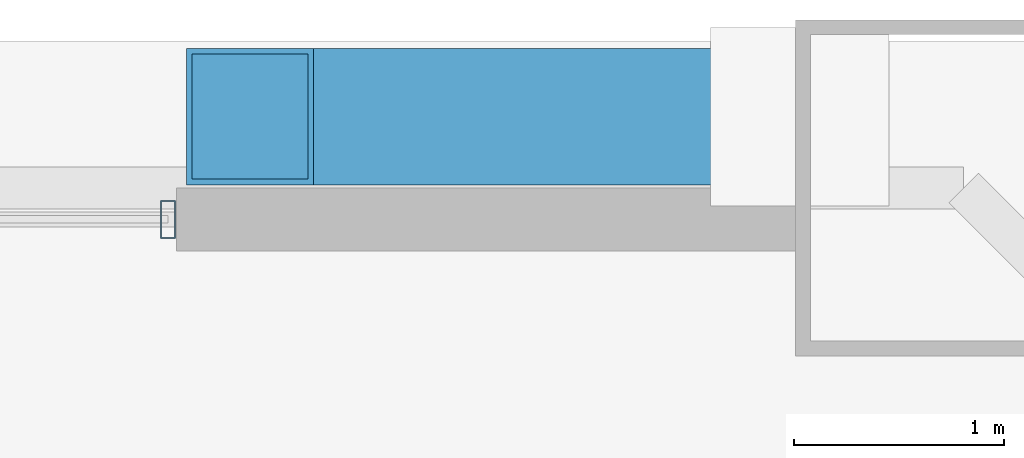
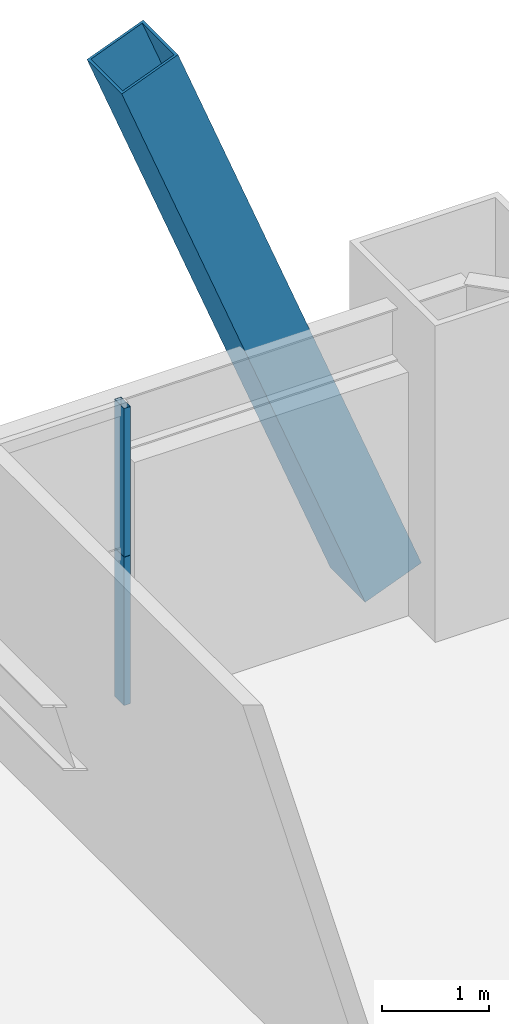
# One storey, part 36 of 42: 3 members, 1 element without a shape of its own.
"""IFC4 building model written with IfcOpenShell, lengths in metres."""

from ifc_helpers import new_model, si_unit, direction, frame, origin, origin_2d, place, context, subcontext, project, spatial, hollow_rectangle, extrude, source, transform, mapped, material, layer, layer_set, material_profile, profile_set, type_object, element, aggregate, save


model = new_model("IFC4")

# Units and contexts
model_context = context("Model", 3, precision=1e-05, world=origin(), true_north=direction((0.0, 1.0)))
body_context = subcontext(model_context, "Body", "Model", "MODEL_VIEW")
ifc_project = project(units=[si_unit("LENGTHUNIT", "METRE"), si_unit("AREAUNIT", "SQUARE_METRE"), si_unit("VOLUMEUNIT", "CUBIC_METRE"), si_unit("PLANEANGLEUNIT", "RADIAN"), si_unit("MASSUNIT", "GRAM", prefix="KILO"), si_unit("THERMODYNAMICTEMPERATUREUNIT", "KELVIN"), si_unit("POWERUNIT", "WATT")], contexts=[model_context])

# Site, building, storey
site_placement = place(None, origin())
site = spatial("IfcSite", under=ifc_project, at=site_placement, CompositionType="ELEMENT")
building_placement = place(site_placement, origin())
building = spatial("IfcBuilding", under=site, at=building_placement, Name="Yuzanri Waterfront Tower", CompositionType="ELEMENT")
storey_placement = place(building_placement, frame((0.0, 0.0, 145.199951171875)))
storey = spatial("IfcBuildingStorey", under=building, at=storey_placement, Name="L38", CompositionType="ELEMENT", Elevation=145.199951171875)

# Member
ifc_material_1 = material(Name="Steel Q420GJC", Category="steel")
ifc_material_profile_1 = material_profile(ifc_material_1, hollow_rectangle(XDim=0.64990234375, YDim=0.64990234375, WallThickness=0.028076171875, at=origin_2d()), Name="RHS 650x650x28")
ifc_profile_set_1 = profile_set([ifc_material_profile_1], Name="Steel Q420GJC")
member_type_1 = type_object("IfcMemberType", Name="Mega Brace Lower Q420GJC RHS 650x650x28", PredefinedType="BRACE", material=ifc_profile_set_1)
shared_shape_1 = source(origin(), body_context, "Body", "SweptSolid", [
    extrude(hollow_rectangle(XDim=0.64990234375, YDim=0.64990234375, WallThickness=0.028076171875, at=origin_2d()), origin(), (0.0, 0.0, 1.0), 7.194091796875),
])
member_1_placement = place(storey_placement, frame((56.219970703125, 49.739990234375, 0.179931640625), z_axis=(-0.36416517997, 0.0, 0.931334376955), x_axis=(0.0, -1.0, 0.0)))
element("IfcMember", 1, at=member_1_placement, inside=storey, type_object=member_type_1, Name="L38-L39 Perimeter Mega-Brace N-R", PredefinedType="BRACE", context=body_context, shape_type="MappedRepresentation", body=[
    mapped(shared_shape_1, transform((0.0, 0.0, 0.0), scale=1.0)),
])

# Curtain wall, members
ifc_material_2 = material(Name="Anodized Architectural Bronze", Category="metal")
ifc_layer = layer(ifc_material_2, 0.159912109375)
ifc_layer_set = layer_set([ifc_layer], Name="Anodized Architectural Bronze")
curtain_wall_type = type_object("IfcCurtainWallType", Name="Anodized Bronze Hotel Upper-Tier Solar-Control Unitized Curtain Wall 7800", PredefinedType="NOTDEFINED", material=ifc_layer_set)
curtain_wall_placement = place(storey_placement, origin())
curtain_wall = element("IfcCurtainWall", 2, at=curtain_wall_placement, inside=storey, type_object=curtain_wall_type, Name="L38 Curtain Wall CW-L38-NR", PredefinedType="NOTDEFINED")
ifc_material_3 = material(Name="Anodized Architectural Bronze", Category="metal")
ifc_material_profile_2 = material_profile(ifc_material_3, hollow_rectangle(XDim=0.070068359375, YDim=0.179931640625, WallThickness=0.00390625, at=origin_2d()), Name="CWM 70x180")
ifc_profile_set_2 = profile_set([ifc_material_profile_2], Name="Anodized Architectural Bronze")
member_type_2 = type_object("IfcMemberType", Name="Anodized Bronze Standard Curtain-Wall Mullion 70x180", PredefinedType="MULLION", material=ifc_profile_set_2)
shared_shape_2 = source(origin(), body_context, "Body", "SweptSolid", [
    extrude(hollow_rectangle(XDim=0.070068359375, YDim=0.179931640625, WallThickness=0.00390625, at=origin_2d()), origin(), (0.0, 0.0, 1.0), 1.68798828125),
])
member_2_placement = place(storey_placement, frame((53.2099609375, 49.25, 0.0), z_axis=(0.0, 0.0, 1.0), x_axis=(1.0, 0.0, 0.0)))
member_2 = element("IfcMember", 3, at=member_2_placement, type_object=member_type_2, Name="CW-L38-NR Lower Mullion 02", PredefinedType="MULLION", context=body_context, shape_type="MappedRepresentation", body=[
    mapped(shared_shape_2, transform((0.0, 0.0, 0.0), scale=1.0)),
])
member_3_placement = place(storey_placement, frame((53.2099609375, 49.25, 1.692138671875), z_axis=(0.0, 0.0, 1.0), x_axis=(1.0, 0.0, 0.0)))
member_3 = element("IfcMember", 4, at=member_3_placement, type_object=member_type_2, Name="CW-L38-NR Upper Mullion 02", PredefinedType="MULLION", context=body_context, shape_type="MappedRepresentation", body=[
    mapped(shared_shape_2, transform((0.0, 0.0, 0.0), scale=1.0)),
])
aggregate(curtain_wall, [member_2, member_3])

save(model, "model.ifc")
